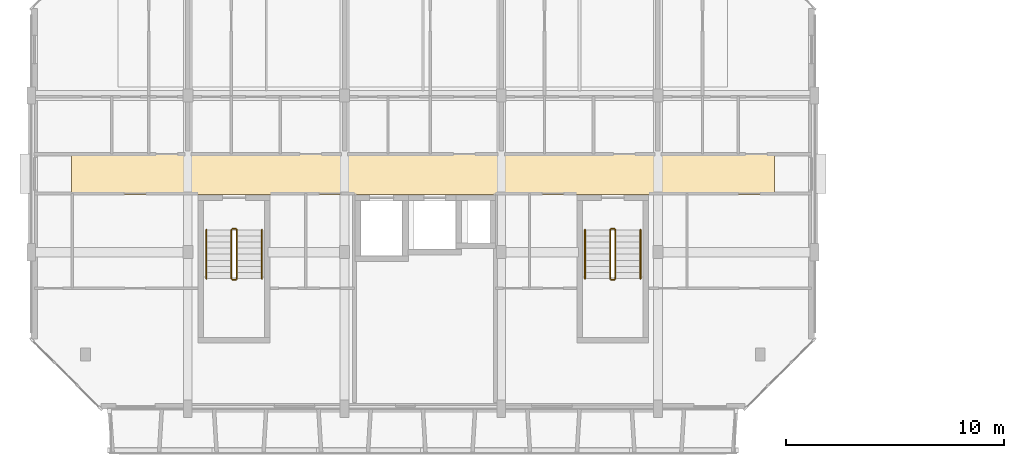
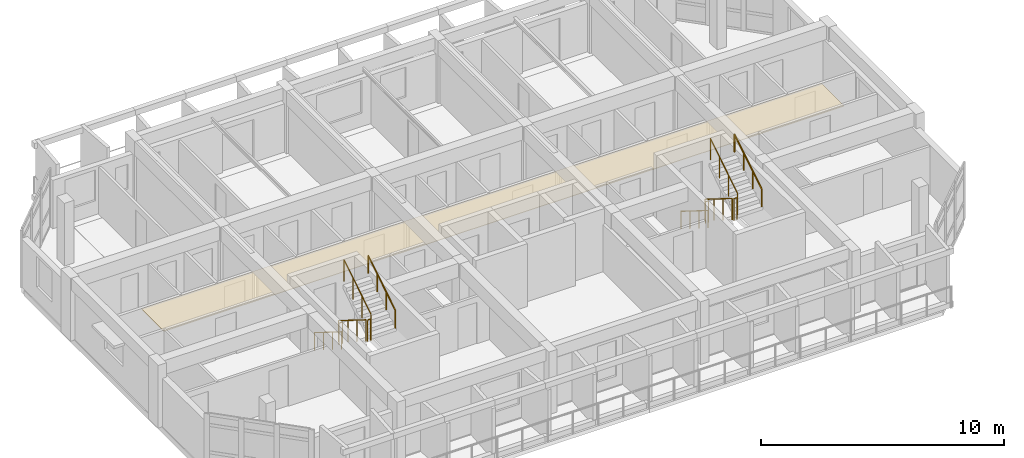
# One storey, part 40 of 46: 12 railings, 1 covering.
"""IFC4 building model written with IfcOpenShell, lengths in metres."""

from ifc_helpers import new_model, si_unit, direction, frame, origin, origin_2d, place, context, subcontext, project, spatial, polyline, circle, outline, extrude, material, layer, layer_set, type_object, element, save


model = new_model("IFC4")

# Units and contexts
model_context = context("Model", 3, precision=1e-05, world=origin(), true_north=direction((0.0, 1.0)))
body_context = subcontext(model_context, "Body", "Model", "MODEL_VIEW")
ifc_project = project(units=[si_unit("LENGTHUNIT", "METRE"), si_unit("AREAUNIT", "SQUARE_METRE"), si_unit("VOLUMEUNIT", "CUBIC_METRE"), si_unit("PLANEANGLEUNIT", "RADIAN"), si_unit("MASSUNIT", "GRAM", prefix="KILO")], contexts=[model_context])

# Site, building, storey
site_placement = place(None, origin())
site = spatial("IfcSite", under=ifc_project, at=site_placement, CompositionType="ELEMENT")
building_placement = place(site_placement, origin())
building = spatial("IfcBuilding", under=site, at=building_placement, Name="Ochrevale Crest", CompositionType="ELEMENT")
storey_placement = place(building_placement, frame((0.0, 0.0, 24.449951171875)))
storey = spatial("IfcBuildingStorey", under=building, at=storey_placement, Name="L07", CompositionType="ELEMENT", Elevation=24.449951171875)

# Covering
ifc_material_1 = material(Name="Gypsum plasterboard", Category="gypsum")
ifc_layer = layer(ifc_material_1, 0.02490234375)
ifc_layer_set = layer_set([ifc_layer], Name="Gypsum plasterboard")
covering_type = type_object("IfcCoveringType", Name="COV-CEIL-GYP", PredefinedType="CEILING", material=ifc_layer_set)
covering_placement = place(storey_placement, frame((0.0, 0.0, 2.280029296875)))
element("IfcCovering", 1, at=covering_placement, inside=storey, type_object=covering_type, Name="Block B L07 acoustic corridor ceiling", PredefinedType="CEILING", context=body_context, shape_type="SweptSolid", body=[
    extrude(outline(polyline([(1.85009765625, 81.860107421875), (34.14990234375, 81.860107421875), (34.14990234375, 83.739990234375), (1.85009765625, 83.739990234375), (1.85009765625, 81.860107421875)])), origin(), (0.0, 0.0, 1.0), 0.02490234375),
])

# Railings
ifc_material_2 = material(Name="Galvanised steel", Category="steel")
railing_type_1 = type_object("IfcRailingType", Name="RL-ST-GUARD", PredefinedType="BALUSTRADE", material=ifc_material_2)
railing_1_placement = place(storey_placement, frame((9.199951171875, 80.22509765625, 0.175048828125)))
element("IfcRailing", 2, at=railing_1_placement, inside=storey, type_object=railing_type_1, Name="L07 ST-B1 stair guard 1", PredefinedType="BALUSTRADE", context=body_context, shape_type="SweptSolid", body=[
    extrude(circle(Radius=0.02392578125, at=origin_2d()), frame((0.0, 0.0, 1.076171875), z_axis=(0.0, -0.848013881152, 0.529974015752), x_axis=(1.0, 0.0, 0.0)), (0.0, 0.0, 1.0), 2.641357421875),
    extrude(circle(Radius=0.02099609375, at=origin_2d()), origin(), (0.0, 0.0, 1.0), 1.052001953125),
    extrude(circle(Radius=0.02099609375, at=origin_2d()), frame((0.0, -0.74658203125, 0.466552734375)), (0.0, 0.0, 1.0), 1.052001953125),
    extrude(circle(Radius=0.02099609375, at=origin_2d()), frame((0.0, -1.493408203125, 0.933349609375)), (0.0, 0.0, 1.0), 1.052001953125),
    extrude(circle(Radius=0.02099609375, at=origin_2d()), frame((0.0, -2.239990234375, 1.39990234375)), (0.0, 0.0, 1.0), 1.052001953125),
])
railing_2_placement = place(storey_placement, frame((9.25, 77.93505859375, 1.574951171875)))
element("IfcRailing", 3, at=railing_2_placement, inside=storey, type_object=railing_type_1, Name="L07 ST-B1 stair guard 2", PredefinedType="BALUSTRADE", context=body_context, shape_type="SweptSolid", body=[
    extrude(circle(Radius=0.02392578125, at=origin_2d()), frame((0.0, 0.0, 1.076171875), z_axis=(1.0, 0.0, 0.0), x_axis=(0.0, 1.0, 0.0)), (0.0, 0.0, 1.0), 0.14990234375),
    extrude(circle(Radius=0.02099609375, at=origin_2d()), origin(), (0.0, 0.0, 1.0), 1.052001953125),
    extrude(circle(Radius=0.02099609375, at=origin_2d()), frame((0.14990234375, 0.0, 0.0)), (0.0, 0.0, 1.0), 1.052001953125),
])
railing_3_placement = place(storey_placement, frame((9.449951171875, 77.985107421875, 1.75)))
element("IfcRailing", 4, at=railing_3_placement, inside=storey, type_object=railing_type_1, Name="L07 ST-B1 stair guard 3", PredefinedType="BALUSTRADE", context=body_context, shape_type="SweptSolid", body=[
    extrude(circle(Radius=0.02392578125, at=origin_2d()), frame((0.0, 0.0, 1.076171875), z_axis=(0.0, 0.847972341737, 0.530040477369), x_axis=(-1.0, 0.0, 0.0)), (0.0, 0.0, 1.0), 2.6416015625),
    extrude(circle(Radius=0.02099609375, at=origin_2d()), origin(), (0.0, 0.0, 1.0), 1.052001953125),
    extrude(circle(Radius=0.02099609375, at=origin_2d()), frame((0.0, 0.74658203125, 0.466796875)), (0.0, 0.0, 1.0), 1.052001953125),
    extrude(circle(Radius=0.02099609375, at=origin_2d()), frame((0.0, 1.493408203125, 0.933349609375)), (0.0, 0.0, 1.0), 1.052001953125),
    extrude(circle(Radius=0.02099609375, at=origin_2d()), frame((0.0, 2.239990234375, 1.400146484375)), (0.0, 0.0, 1.0), 1.052001953125),
])
railing_4_placement = place(storey_placement, frame((9.25, 80.27490234375, 0.0)))
element("IfcRailing", 5, at=railing_4_placement, inside=storey, type_object=railing_type_1, Name="L07 ST-B1 stair guard 4", PredefinedType="BALUSTRADE", context=body_context, shape_type="SweptSolid", body=[
    extrude(circle(Radius=0.02392578125, at=origin_2d()), frame((0.0, 0.0, 1.076171875), z_axis=(1.0, 0.0, 0.0), x_axis=(0.0, 1.0, 0.0)), (0.0, 0.0, 1.0), 0.14990234375),
    extrude(circle(Radius=0.02099609375, at=origin_2d()), origin(), (0.0, 0.0, 1.0), 1.052001953125),
    extrude(circle(Radius=0.02099609375, at=origin_2d()), frame((0.14990234375, 0.0, 0.0)), (0.0, 0.0, 1.0), 1.052001953125),
])
railing_5_placement = place(storey_placement, frame((26.60009765625, 80.22509765625, 0.175048828125)))
element("IfcRailing", 6, at=railing_5_placement, inside=storey, type_object=railing_type_1, Name="L07 ST-B2 stair guard 1", PredefinedType="BALUSTRADE", context=body_context, shape_type="SweptSolid", body=[
    extrude(circle(Radius=0.02392578125, at=origin_2d()), frame((0.0, 0.0, 1.076171875), z_axis=(0.0, -0.848013881152, 0.529974015752), x_axis=(1.0, 0.0, 0.0)), (0.0, 0.0, 1.0), 2.641357421875),
    extrude(circle(Radius=0.02099609375, at=origin_2d()), origin(), (0.0, 0.0, 1.0), 1.052001953125),
    extrude(circle(Radius=0.02099609375, at=origin_2d()), frame((0.0, -0.74658203125, 0.466552734375)), (0.0, 0.0, 1.0), 1.052001953125),
    extrude(circle(Radius=0.02099609375, at=origin_2d()), frame((0.0, -1.493408203125, 0.933349609375)), (0.0, 0.0, 1.0), 1.052001953125),
    extrude(circle(Radius=0.02099609375, at=origin_2d()), frame((0.0, -2.239990234375, 1.39990234375)), (0.0, 0.0, 1.0), 1.052001953125),
])
railing_6_placement = place(storey_placement, frame((26.64990234375, 77.93505859375, 1.574951171875)))
element("IfcRailing", 7, at=railing_6_placement, inside=storey, type_object=railing_type_1, Name="L07 ST-B2 stair guard 2", PredefinedType="BALUSTRADE", context=body_context, shape_type="SweptSolid", body=[
    extrude(circle(Radius=0.02392578125, at=origin_2d()), frame((0.0, 0.0, 1.076171875), z_axis=(1.0, 0.0, 0.0), x_axis=(0.0, 1.0, 0.0)), (0.0, 0.0, 1.0), 0.150146484375),
    extrude(circle(Radius=0.02099609375, at=origin_2d()), origin(), (0.0, 0.0, 1.0), 1.052001953125),
    extrude(circle(Radius=0.02099609375, at=origin_2d()), frame((0.150146484375, 0.0, 0.0)), (0.0, 0.0, 1.0), 1.052001953125),
])
railing_7_placement = place(storey_placement, frame((26.85009765625, 77.985107421875, 1.75)))
element("IfcRailing", 8, at=railing_7_placement, inside=storey, type_object=railing_type_1, Name="L07 ST-B2 stair guard 3", PredefinedType="BALUSTRADE", context=body_context, shape_type="SweptSolid", body=[
    extrude(circle(Radius=0.02392578125, at=origin_2d()), frame((0.0, 0.0, 1.076171875), z_axis=(0.0, 0.847972341737, 0.530040477369), x_axis=(-1.0, 0.0, 0.0)), (0.0, 0.0, 1.0), 2.6416015625),
    extrude(circle(Radius=0.02099609375, at=origin_2d()), origin(), (0.0, 0.0, 1.0), 1.052001953125),
    extrude(circle(Radius=0.02099609375, at=origin_2d()), frame((0.0, 0.74658203125, 0.466796875)), (0.0, 0.0, 1.0), 1.052001953125),
    extrude(circle(Radius=0.02099609375, at=origin_2d()), frame((0.0, 1.493408203125, 0.933349609375)), (0.0, 0.0, 1.0), 1.052001953125),
    extrude(circle(Radius=0.02099609375, at=origin_2d()), frame((0.0, 2.239990234375, 1.400146484375)), (0.0, 0.0, 1.0), 1.052001953125),
])
railing_8_placement = place(storey_placement, frame((26.64990234375, 80.27490234375, 0.0)))
element("IfcRailing", 9, at=railing_8_placement, inside=storey, type_object=railing_type_1, Name="L07 ST-B2 stair guard 4", PredefinedType="BALUSTRADE", context=body_context, shape_type="SweptSolid", body=[
    extrude(circle(Radius=0.02392578125, at=origin_2d()), frame((0.0, 0.0, 1.076171875), z_axis=(1.0, 0.0, 0.0), x_axis=(0.0, 1.0, 0.0)), (0.0, 0.0, 1.0), 0.150146484375),
    extrude(circle(Radius=0.02099609375, at=origin_2d()), origin(), (0.0, 0.0, 1.0), 1.052001953125),
    extrude(circle(Radius=0.02099609375, at=origin_2d()), frame((0.150146484375, 0.0, 0.0)), (0.0, 0.0, 1.0), 1.052001953125),
])
ifc_material_3 = material(Name="Stainless steel", Category="steel")
railing_type_2 = type_object("IfcRailingType", Name="RL-ST-HRAIL", PredefinedType="HANDRAIL", material=ifc_material_3)
railing_9_placement = place(storey_placement, frame((8.050048828125, 80.22509765625, 0.175048828125)))
element("IfcRailing", 10, at=railing_9_placement, inside=storey, type_object=railing_type_2, Name="L07 ST-B1 stair handrail 1", PredefinedType="HANDRAIL", context=body_context, shape_type="SweptSolid", body=[
    extrude(circle(Radius=0.02392578125, at=origin_2d()), frame((0.0, 0.0, 0.8759765625), z_axis=(0.0, -0.848013881152, 0.529974015752), x_axis=(1.0, 0.0, 0.0)), (0.0, 0.0, 1.0), 2.641357421875),
    extrude(circle(Radius=0.02099609375, at=origin_2d()), origin(), (0.0, 0.0, 1.0), 0.851806640625),
    extrude(circle(Radius=0.02099609375, at=origin_2d()), frame((0.0, -0.74658203125, 0.466552734375)), (0.0, 0.0, 1.0), 0.851806640625),
    extrude(circle(Radius=0.02099609375, at=origin_2d()), frame((0.0, -1.493408203125, 0.933349609375)), (0.0, 0.0, 1.0), 0.851806640625),
    extrude(circle(Radius=0.02099609375, at=origin_2d()), frame((0.0, -2.239990234375, 1.39990234375)), (0.0, 0.0, 1.0), 0.851806640625),
])
railing_10_placement = place(storey_placement, frame((10.60009765625, 77.985107421875, 1.75)))
element("IfcRailing", 11, at=railing_10_placement, inside=storey, type_object=railing_type_2, Name="L07 ST-B1 stair handrail 2", PredefinedType="HANDRAIL", context=body_context, shape_type="SweptSolid", body=[
    extrude(circle(Radius=0.02392578125, at=origin_2d()), frame((0.0, 0.0, 0.8759765625), z_axis=(0.0, 0.847972341737, 0.530040477369), x_axis=(-1.0, 0.0, 0.0)), (0.0, 0.0, 1.0), 2.6416015625),
    extrude(circle(Radius=0.02099609375, at=origin_2d()), origin(), (0.0, 0.0, 1.0), 0.851806640625),
    extrude(circle(Radius=0.02099609375, at=origin_2d()), frame((0.0, 0.74658203125, 0.466796875)), (0.0, 0.0, 1.0), 0.851806640625),
    extrude(circle(Radius=0.02099609375, at=origin_2d()), frame((0.0, 1.493408203125, 0.933349609375)), (0.0, 0.0, 1.0), 0.851806640625),
    extrude(circle(Radius=0.02099609375, at=origin_2d()), frame((0.0, 2.239990234375, 1.400146484375)), (0.0, 0.0, 1.0), 0.851806640625),
])
railing_11_placement = place(storey_placement, frame((25.449951171875, 80.22509765625, 0.175048828125)))
element("IfcRailing", 12, at=railing_11_placement, inside=storey, type_object=railing_type_2, Name="L07 ST-B2 stair handrail 1", PredefinedType="HANDRAIL", context=body_context, shape_type="SweptSolid", body=[
    extrude(circle(Radius=0.02392578125, at=origin_2d()), frame((0.0, 0.0, 0.8759765625), z_axis=(0.0, -0.848013881152, 0.529974015752), x_axis=(1.0, 0.0, 0.0)), (0.0, 0.0, 1.0), 2.641357421875),
    extrude(circle(Radius=0.02099609375, at=origin_2d()), origin(), (0.0, 0.0, 1.0), 0.851806640625),
    extrude(circle(Radius=0.02099609375, at=origin_2d()), frame((0.0, -0.74658203125, 0.466552734375)), (0.0, 0.0, 1.0), 0.851806640625),
    extrude(circle(Radius=0.02099609375, at=origin_2d()), frame((0.0, -1.493408203125, 0.933349609375)), (0.0, 0.0, 1.0), 0.851806640625),
    extrude(circle(Radius=0.02099609375, at=origin_2d()), frame((0.0, -2.239990234375, 1.39990234375)), (0.0, 0.0, 1.0), 0.851806640625),
])
railing_12_placement = place(storey_placement, frame((28.0, 77.985107421875, 1.75)))
element("IfcRailing", 13, at=railing_12_placement, inside=storey, type_object=railing_type_2, Name="L07 ST-B2 stair handrail 2", PredefinedType="HANDRAIL", context=body_context, shape_type="SweptSolid", body=[
    extrude(circle(Radius=0.02392578125, at=origin_2d()), frame((0.0, 0.0, 0.8759765625), z_axis=(0.0, 0.847972341737, 0.530040477369), x_axis=(-1.0, 0.0, 0.0)), (0.0, 0.0, 1.0), 2.6416015625),
    extrude(circle(Radius=0.02099609375, at=origin_2d()), origin(), (0.0, 0.0, 1.0), 0.851806640625),
    extrude(circle(Radius=0.02099609375, at=origin_2d()), frame((0.0, 0.74658203125, 0.466796875)), (0.0, 0.0, 1.0), 0.851806640625),
    extrude(circle(Radius=0.02099609375, at=origin_2d()), frame((0.0, 1.493408203125, 0.933349609375)), (0.0, 0.0, 1.0), 0.851806640625),
    extrude(circle(Radius=0.02099609375, at=origin_2d()), frame((0.0, 2.239990234375, 1.400146484375)), (0.0, 0.0, 1.0), 0.851806640625),
])

save(model, "model.ifc")
